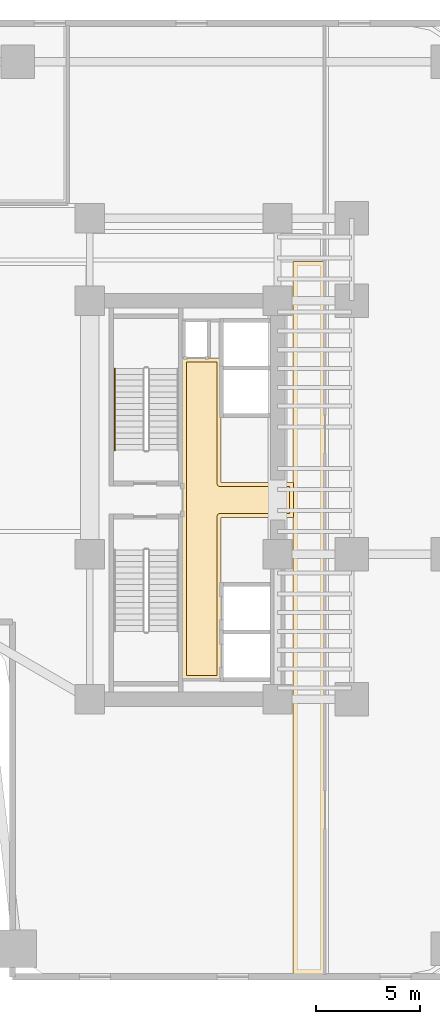
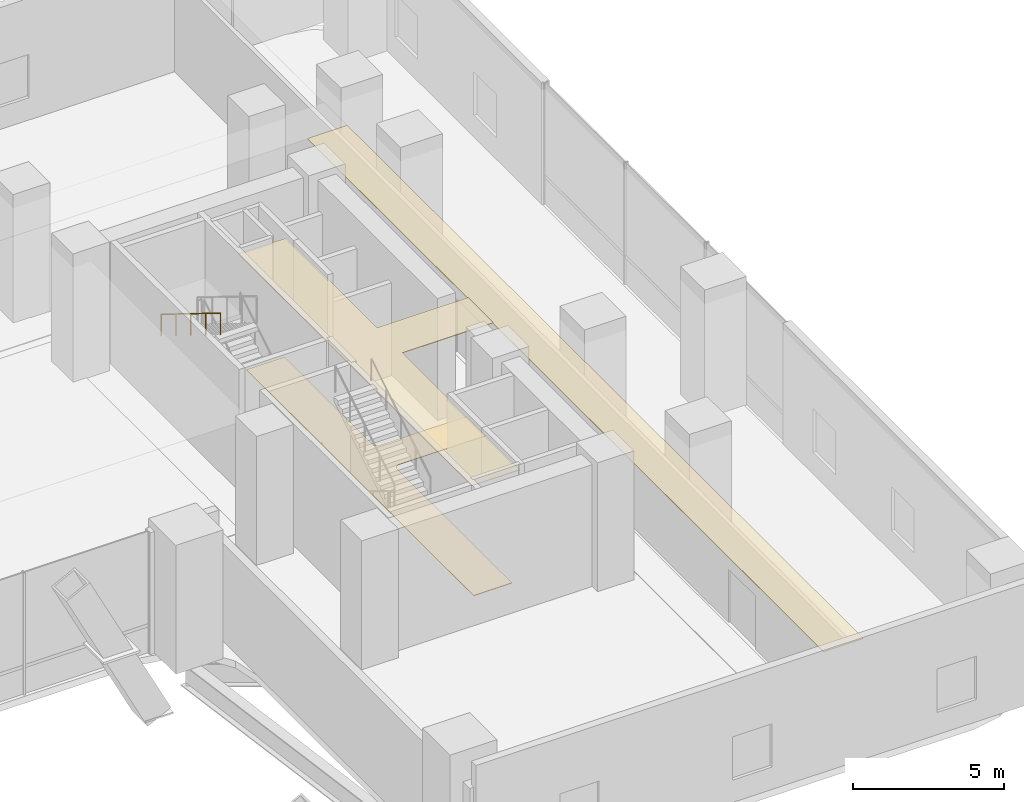
# One storey, part 36 of 39: 3 coverings, 1 railing.
"""IFC4 building model written with IfcOpenShell, lengths in metres."""

import ifcopenshell
import ifcopenshell.guid

model = None  # the IFC model being written
_history = None  # IfcOwnerHistory: only IFC2X3 demands one
_inside = {}  # id of a spatial element -> (the spatial element, [elements in it])
_under = {}  # id of a project, library or spatial element -> (it, [spatial elements below it])
_declared = {}  # id of a project -> (the project, [libraries it declares])
_typed = {}  # id of a type object -> (the type object, [elements of that type])
_made_of = {}  # id of a material, layer set ... -> (it, [elements and type objects made of it])


def new_model(schema):
    """Start an empty IFC model of exactly this schema.

    Asked for "IFC4X3", IfcOpenShell would pick the latest addendum, in which some entities
    have other attributes; the version numbers below select the first issue.
    IFC2X3 requires an IfcOwnerHistory on every rooted entity: one is made here for all.
    """
    global model, _history
    if schema == "IFC4X3":
        model = ifcopenshell.file(schema_version=(4, 3, 0, 0))
    else:
        model = ifcopenshell.file(schema=schema)
    _inside.clear()
    _under.clear()
    _declared.clear()
    _typed.clear()
    _made_of.clear()
    _history = None
    if model.schema == "IFC2X3":
        org = make("IfcOrganization", Name="unknown")
        user = make(
            "IfcPersonAndOrganization",
            ThePerson=make("IfcPerson", FamilyName="unknown"),
            TheOrganization=org,
        )
        app = make(
            "IfcApplication",
            ApplicationDeveloper=org,
            Version="unknown",
            ApplicationFullName="unknown",
            ApplicationIdentifier="unknown",
        )
        _history = make(
            "IfcOwnerHistory",
            OwningUser=user,
            OwningApplication=app,
            ChangeAction="ADDED",
            CreationDate=0,
        )
    return model


def make(cls, **values):
    """One entity of the class cls with the attributes given. An attribute that is None is left unset."""
    return model.create_entity(
        cls, **{name: value for name, value in values.items() if value is not None}
    )


def rooted(cls, **values):
    """An entity with a GlobalId (a new one), such as an element, a storey or a relation."""
    return make(cls, GlobalId=ifcopenshell.guid.new(), OwnerHistory=_history, **values)


def si_unit(unit_type, name, prefix=None):
    """IfcSIUnit, for example si_unit("LENGTHUNIT", "METRE", prefix="MILLI")."""
    return make("IfcSIUnit", UnitType=unit_type, Prefix=prefix, Name=name)


def assignment(units):
    """IfcUnitAssignment: the units of a project."""
    return None if units is None else make("IfcUnitAssignment", Units=units)


def point(xyz):
    """IfcCartesianPoint."""
    return None if xyz is None else make("IfcCartesianPoint", Coordinates=xyz)


def direction(xyz):
    """IfcDirection."""
    return None if xyz is None else make("IfcDirection", DirectionRatios=xyz)


def frame(location, z_axis=None, x_axis=None):
    """IfcAxis2Placement3D, a coordinate frame: its origin and axes. An axis left out is left unset."""
    return make(
        "IfcAxis2Placement3D",
        Location=point(location),
        Axis=direction(z_axis),
        RefDirection=direction(x_axis),
    )


def frame_2d(location, x_axis=None):
    """IfcAxis2Placement2D, a coordinate frame in the plane: its origin and x axis."""
    return make(
        "IfcAxis2Placement2D", Location=point(location), RefDirection=direction(x_axis)
    )


def origin():
    """The frame at (0, 0, 0) with its axes left unset."""
    return frame((0.0, 0.0, 0.0))


def origin_2d():
    """The frame at (0, 0) in the plane with its x axis left unset."""
    return frame_2d((0.0, 0.0))


def place(relative_to, where):
    """IfcLocalPlacement: puts the frame where relative to a parent placement (None: the world)."""
    return make(
        "IfcLocalPlacement", PlacementRelTo=relative_to, RelativePlacement=where
    )


def context(
    kind, dimensions, precision=None, world=None, true_north=None, identifier=None
):
    """IfcGeometricRepresentationContext, for example the 3D "Model" context."""
    return make(
        "IfcGeometricRepresentationContext",
        ContextIdentifier=identifier,
        ContextType=kind,
        CoordinateSpaceDimension=dimensions,
        Precision=precision,
        WorldCoordinateSystem=world,
        TrueNorth=true_north,
    )


def subcontext(parent, identifier, kind, view, scale=None):
    """IfcGeometricRepresentationSubContext, for example "Body" below "Model"."""
    return make(
        "IfcGeometricRepresentationSubContext",
        ContextIdentifier=identifier,
        ContextType=kind,
        ParentContext=parent,
        TargetScale=scale,
        TargetView=view,
    )


def project(units=None, contexts=None):
    """IfcProject with its units and contexts."""
    return rooted(
        "IfcProject",
        Name="project",
        RepresentationContexts=contexts,
        UnitsInContext=assignment(units),
    )


def spatial(cls, under=None, at=None, **own):
    """A site, building, storey or space (cls), placed at a placement, below another one or the project."""
    s = rooted(cls, ObjectPlacement=at, **own)
    if under is not None:
        _under.setdefault(under.id(), (under, []))[1].append(s)
    return s


def polyline(points):
    """IfcPolyline through the points."""
    return make("IfcPolyline", Points=[point(p) for p in points])


def profile(cls, at=None, kind="AREA", **sizes):
    """A parametric profile (cls). Its sizes go by their IFC names, for example OverallWidth=200.0."""
    return make(cls, ProfileType=kind, Position=at, **sizes)


def circle(**sizes):
    """IfcCircleProfileDef."""
    return profile("IfcCircleProfileDef", **sizes)


def outline(outer, holes=None, kind="AREA"):
    """IfcArbitraryClosedProfileDef: a profile drawn as a closed curve; with holes, ...WithVoids."""
    if holes is None:
        return make("IfcArbitraryClosedProfileDef", ProfileType=kind, OuterCurve=outer)
    return make(
        "IfcArbitraryProfileDefWithVoids",
        ProfileType=kind,
        OuterCurve=outer,
        InnerCurves=holes,
    )


def extrude(swept, where, along, depth):
    """IfcExtrudedAreaSolid: the profile swept, set in the frame where, extruded along a direction by depth."""
    return make(
        "IfcExtrudedAreaSolid",
        SweptArea=swept,
        Position=where,
        ExtrudedDirection=direction(along),
        Depth=depth,
    )


def shape(context_of_items, identifier, shape_type, items):
    """IfcShapeRepresentation: the items that make up one representation, for example the "Body"."""
    return make(
        "IfcShapeRepresentation",
        ContextOfItems=context_of_items,
        RepresentationIdentifier=identifier,
        RepresentationType=shape_type,
        Items=items,
    )


def material(Name=None, Category=None):
    """IfcMaterial."""
    return make("IfcMaterial", Name=Name, Category=Category)


def layer(
    of_material, thickness, ventilated=None, Name=None, Category=None, Priority=None
):
    """IfcMaterialLayer: one layer of a wall or slab, of a material (None: an air gap)."""
    return make(
        "IfcMaterialLayer",
        Material=of_material,
        LayerThickness=thickness,
        IsVentilated=ventilated,
        Name=Name,
        Category=Category,
        Priority=Priority,
    )


def layer_set(layers, Name=None):
    """IfcMaterialLayerSet."""
    return make("IfcMaterialLayerSet", MaterialLayers=layers, LayerSetName=Name)


def made_of(thing, what):
    """Note that an element or type object is made of a material, layer set ...; save() writes the relation."""
    if what is not None:
        _made_of.setdefault(what.id(), (what, []))[1].append(thing)
    return thing


def type_object(cls, material=None, **own):
    """A type object (cls), such as IfcWallType, which elements share."""
    return made_of(rooted(cls, **own), material)


def element(
    cls,
    number,
    at=None,
    inside=None,
    cuts=None,
    type_object=None,
    material=None,
    context=None,
    identifier="Body",
    shape_type=None,
    held_by="IfcProductDefinitionShape",
    body=None,
    shapes=None,
    **own,
):
    """One element of the class cls, such as IfcWall. Its Tag is "e" and its number.

    at: its placement. inside: the storey or other place that contains it. cuts: it is an
    opening in that element (IfcRelVoidsElement). A single representation is given by context,
    identifier, shape_type and body (its items); several are given by shapes. held_by: the class
    of the entity that holds the representations. save() writes the other relations.
    """
    e = rooted(cls, Tag="e%d" % number, ObjectPlacement=at, **own)
    if body is not None:
        shapes = [shape(context, identifier, shape_type, body)]
    if shapes is not None:
        e.Representation = make(held_by, Representations=shapes)
    if inside is not None:
        _inside.setdefault(inside.id(), (inside, []))[1].append(e)
    if cuts is not None:
        rooted(
            "IfcRelVoidsElement", RelatingBuildingElement=cuts, RelatedOpeningElement=e
        )
    if type_object is not None:
        _typed.setdefault(type_object.id(), (type_object, []))[1].append(e)
    return made_of(e, material)


def aggregate(whole, parts):
    """IfcRelAggregates: a whole, such as a stair, and the parts it consists of."""
    return rooted("IfcRelAggregates", RelatingObject=whole, RelatedObjects=parts)


def save(model, path):
    """Write the relations noted so far, then the file.

    IfcRelAggregates (storeys below a building ...), IfcRelContainedInSpatialStructure (elements
    in a storey), IfcRelDefinesByType, IfcRelAssociatesMaterial and IfcRelDeclares: one each for
    every whole, place, type object, material and project.
    """
    for whole, parts in _under.values():
        aggregate(whole, parts)
    for where, things in _inside.values():
        rooted(
            "IfcRelContainedInSpatialStructure",
            RelatedElements=things,
            RelatingStructure=where,
        )
    for kind, things in _typed.values():
        rooted("IfcRelDefinesByType", RelatedObjects=things, RelatingType=kind)
    for what, things in _made_of.values():
        rooted("IfcRelAssociatesMaterial", RelatedObjects=things, RelatingMaterial=what)
    for by, libraries in _declared.values():
        rooted("IfcRelDeclares", RelatingContext=by, RelatedDefinitions=libraries)
    model.write(path)


model = new_model("IFC4")

# Units and contexts
model_context = context("Model", 3, precision=1e-05, world=origin(), true_north=direction((0.0, 1.0)))
body_context = subcontext(model_context, "Body", "Model", "MODEL_VIEW")
ifc_project = project(units=[si_unit("LENGTHUNIT", "METRE"), si_unit("AREAUNIT", "SQUARE_METRE"), si_unit("VOLUMEUNIT", "CUBIC_METRE"), si_unit("PLANEANGLEUNIT", "RADIAN"), si_unit("MASSUNIT", "GRAM", prefix="KILO")], contexts=[model_context])

# Site, building, storey
site_placement = place(None, origin())
site = spatial("IfcSite", under=ifc_project, at=site_placement, CompositionType="ELEMENT")
building_placement = place(site_placement, origin())
building = spatial("IfcBuilding", under=site, at=building_placement, Name="Valdorenza Pilgrim Sanctuary Tower", CompositionType="ELEMENT")
storey_placement = place(building_placement, frame((0.0, 0.0, 10.39990234375)))
storey = spatial("IfcBuildingStorey", under=building, at=storey_placement, Name="L02", CompositionType="ELEMENT", Elevation=10.39990234375)

# Coverings
ifc_material_1 = material(Name="Micro-perforated acoustic mineral ceiling tile", Category="gypsum")
ifc_layer_1 = layer(ifc_material_1, 0.02490234375, Name="Micro-perforated acoustic mineral ceiling tile")
ifc_layer_set_1 = layer_set([ifc_layer_1], Name="Micro-perforated acoustic mineral ceiling tile")
covering_type_1 = type_object("IfcCoveringType", Name="COV-CLG-ACU", PredefinedType="CEILING", material=ifc_layer_set_1)
covering_1_placement = place(storey_placement, frame((0.0, 0.0, 4.6201171875)))
element("IfcCovering", 1, at=covering_1_placement, inside=storey, type_object=covering_type_1, Name="L02 Core B Passenger Lift Lobby Acoustic Ceiling", PredefinedType="CEILING", context=body_context, shape_type="SweptSolid", body=[
    extrude(outline(polyline([(20.287109375, -0.814697265625), (20.287109375, 0.814697265625), (20.28662109375, 0.815185546875), (20.2861328125, 0.81640625), (20.28564453125, 0.81787109375), (20.285400390625, 0.819091796875), (20.28515625, 0.820556640625), (20.284912109375, 0.822021484375), (20.284912109375, 6.800048828125), (20.28515625, 6.801513671875), (20.285400390625, 6.802978515625), (20.28564453125, 6.804443359375), (20.2861328125, 6.8056640625), (20.286865234375, 6.80712890625), (20.28759765625, 6.808349609375), (20.288330078125, 6.8095703125), (20.289306640625, 6.810546875), (20.29052734375, 6.8115234375), (20.291748046875, 6.8125), (20.29296875, 6.813232421875), (20.294189453125, 6.81396484375), (20.295654296875, 6.814453125), (20.297119140625, 6.814697265625), (20.298583984375, 6.81494140625), (20.300048828125, 6.81494140625), (20.347900390625, 6.81494140625), (20.349365234375, 6.81494140625), (20.350830078125, 6.814697265625), (20.352294921875, 6.814453125), (20.353515625, 6.81396484375), (20.35498046875, 6.813232421875), (20.35546875, 6.81298828125), (21.544677734375, 6.81298828125), (21.545166015625, 6.813232421875), (21.54638671875, 6.81396484375), (21.5478515625, 6.814453125), (21.54931640625, 6.814697265625), (21.550537109375, 6.81494140625), (21.552001953125, 6.81494140625), (22.1201171875, 6.81494140625), (22.12158203125, 6.81494140625), (22.122802734375, 6.814697265625), (22.12451171875, 6.814453125), (22.125732421875, 6.81396484375), (22.127197265625, 6.813232421875), (22.12841796875, 6.8125), (22.12939453125, 6.8115234375), (22.130615234375, 6.810546875), (22.131591796875, 6.8095703125), (22.132568359375, 6.808349609375), (22.13330078125, 6.80712890625), (22.1337890625, 6.8056640625), (22.134521484375, 6.804443359375), (22.134765625, 6.802978515625), (22.135009765625, 6.801513671875), (22.135009765625, 6.800048828125), (22.135009765625, 0.8349609375), (25.60009765625, 0.8349609375), (25.6015625, 0.8349609375), (25.602783203125, 0.834716796875), (25.6044921875, 0.83447265625), (25.605712890625, 0.833984375), (25.607177734375, 0.833251953125), (25.6083984375, 0.83251953125), (25.609619140625, 0.83154296875), (25.610595703125, 0.83056640625), (25.611572265625, 0.82958984375), (25.612548828125, 0.828369140625), (25.61328125, 0.8271484375), (25.614013671875, 0.82568359375), (25.614501953125, 0.824462890625), (25.61474609375, 0.822998046875), (25.614990234375, 0.821533203125), (25.614990234375, 0.820068359375), (25.614990234375, -0.820068359375), (25.614990234375, -0.821533203125), (25.61474609375, -0.822998046875), (25.614501953125, -0.824462890625), (25.614013671875, -0.82568359375), (25.61328125, -0.8271484375), (25.612548828125, -0.828369140625), (25.611572265625, -0.82958984375), (25.610595703125, -0.83056640625), (25.609619140625, -0.83154296875), (25.6083984375, -0.83251953125), (25.607177734375, -0.833251953125), (25.605712890625, -0.833984375), (25.6044921875, -0.83447265625), (25.602783203125, -0.834716796875), (25.6015625, -0.8349609375), (25.60009765625, -0.8349609375), (22.135009765625, -0.8349609375), (22.135009765625, -8.60009765625), (22.135009765625, -8.6015625), (22.134765625, -8.602783203125), (22.134521484375, -8.6044921875), (22.1337890625, -8.605712890625), (22.13330078125, -8.607177734375), (22.132568359375, -8.6083984375), (22.131591796875, -8.609619140625), (22.130615234375, -8.610595703125), (22.12939453125, -8.611572265625), (22.12841796875, -8.612548828125), (22.127197265625, -8.61328125), (22.125732421875, -8.614013671875), (22.12451171875, -8.614501953125), (22.122802734375, -8.61474609375), (22.12158203125, -8.614990234375), (22.1201171875, -8.614990234375), (20.300048828125, -8.614990234375), (20.298583984375, -8.614990234375), (20.297119140625, -8.61474609375), (20.295654296875, -8.614501953125), (20.294189453125, -8.614013671875), (20.29296875, -8.61328125), (20.291748046875, -8.612548828125), (20.29052734375, -8.611572265625), (20.289306640625, -8.610595703125), (20.288330078125, -8.609619140625), (20.28759765625, -8.6083984375), (20.286865234375, -8.607177734375), (20.2861328125, -8.605712890625), (20.28564453125, -8.6044921875), (20.285400390625, -8.602783203125), (20.28515625, -8.6015625), (20.284912109375, -8.60009765625), (20.284912109375, -0.822021484375), (20.28515625, -0.820556640625), (20.285400390625, -0.819091796875), (20.28564453125, -0.81787109375), (20.2861328125, -0.81640625), (20.28662109375, -0.815185546875), (20.287109375, -0.814697265625)])), origin(), (0.0, 0.0, 1.0), 0.02490234375),
])
covering_2_placement = place(storey_placement, frame((0.0, 0.0, 4.6201171875)))
element("IfcCovering", 2, at=covering_2_placement, inside=storey, type_object=covering_type_1, Name="L02 L02 Podium East Corridor Acoustic Ceiling", PredefinedType="CEILING", context=body_context, shape_type="SweptSolid", body=[
    extrude(outline(polyline([(25.5869140625, -0.814697265625), (25.5869140625, 0.814697265625), (25.586669921875, 0.815185546875), (25.586181640625, 0.81640625), (25.585693359375, 0.81787109375), (25.585205078125, 0.819091796875), (25.585205078125, 0.820556640625), (25.5849609375, 0.822021484375), (25.5849609375, 11.41796875), (25.585205078125, 11.41943359375), (25.585205078125, 11.4208984375), (25.585693359375, 11.42236328125), (25.586181640625, 11.423583984375), (25.5869140625, 11.425048828125), (25.58740234375, 11.42626953125), (25.58837890625, 11.427490234375), (25.58935546875, 11.4287109375), (25.590576171875, 11.4296875), (25.591796875, 11.430419921875), (25.593017578125, 11.43115234375), (25.59423828125, 11.431884765625), (25.595703125, 11.432373046875), (25.59716796875, 11.4326171875), (25.598388671875, 11.432861328125), (25.60009765625, 11.43310546875), (27.097900390625, 11.43310546875), (27.099609375, 11.432861328125), (27.100830078125, 11.4326171875), (27.102294921875, 11.432373046875), (27.103759765625, 11.431884765625), (27.10498046875, 11.43115234375), (27.106201171875, 11.430419921875), (27.107421875, 11.4296875), (27.108642578125, 11.4287109375), (27.109619140625, 11.427490234375), (27.110595703125, 11.42626953125), (27.111083984375, 11.425048828125), (27.11181640625, 11.423583984375), (27.1123046875, 11.42236328125), (27.11279296875, 11.4208984375), (27.11279296875, 11.41943359375), (27.113037109375, 11.41796875), (27.113037109375, -22.699951171875), (27.11279296875, -22.701416015625), (27.11279296875, -22.702880859375), (27.1123046875, -22.704345703125), (27.11181640625, -22.705810546875), (27.111083984375, -22.70703125), (27.110595703125, -22.708251953125), (27.109619140625, -22.70947265625), (27.108642578125, -22.710693359375), (27.107421875, -22.711669921875), (27.106201171875, -22.71240234375), (27.10498046875, -22.713134765625), (27.103759765625, -22.7138671875), (27.102294921875, -22.71435546875), (27.100830078125, -22.714599609375), (27.099609375, -22.71484375), (27.097900390625, -22.715087890625), (25.60009765625, -22.715087890625), (25.598388671875, -22.71484375), (25.59716796875, -22.714599609375), (25.595703125, -22.71435546875), (25.59423828125, -22.7138671875), (25.593017578125, -22.713134765625), (25.591796875, -22.71240234375), (25.590576171875, -22.711669921875), (25.58935546875, -22.710693359375), (25.58837890625, -22.70947265625), (25.58740234375, -22.708251953125), (25.5869140625, -22.70703125), (25.586181640625, -22.705810546875), (25.585693359375, -22.704345703125), (25.585205078125, -22.702880859375), (25.585205078125, -22.701416015625), (25.5849609375, -22.699951171875), (25.5849609375, -0.822021484375), (25.585205078125, -0.820556640625), (25.585205078125, -0.819091796875), (25.585693359375, -0.81787109375), (25.586181640625, -0.81640625), (25.586669921875, -0.815185546875), (25.5869140625, -0.814697265625)])), origin(), (0.0, 0.0, 1.0), 0.02490234375),
])
ifc_material_2 = material(Name="Honed travertine stone flooring", Category="masonry")
ifc_layer_2 = layer(ifc_material_2, 0.030029296875, Name="Honed travertine stone flooring")
ifc_layer_set_2 = layer_set([ifc_layer_2], Name="Honed travertine stone flooring")
covering_type_2 = type_object("IfcCoveringType", Name="COV-FLR-TRV", PredefinedType="FLOORING", material=ifc_layer_set_2)
covering_3_placement = place(storey_placement, origin())
element("IfcCovering", 3, at=covering_3_placement, inside=storey, type_object=covering_type_2, Name="L02 Core B Passenger Lift Lobby Flooring", PredefinedType="FLOORING", context=body_context, shape_type="SweptSolid", body=[
    extrude(outline(polyline([(20.47998046875, 6.617919921875), (21.550048828125, 6.617919921875), (21.550537109375, 6.617919921875), (21.93994140625, 6.619384765625), (21.93994140625, 0.820068359375), (21.94091796875, 0.802490234375), (21.943603515625, 0.784912109375), (21.94775390625, 0.767578125), (21.95361328125, 0.751220703125), (21.961181640625, 0.735107421875), (21.97021484375, 0.719970703125), (21.98095703125, 0.705810546875), (21.99267578125, 0.692626953125), (22.005859375, 0.680908203125), (22.02001953125, 0.67041015625), (22.03515625, 0.661376953125), (22.051025390625, 0.65380859375), (22.067626953125, 0.647705078125), (22.0849609375, 0.6435546875), (22.102294921875, 0.640869140625), (22.1201171875, 0.639892578125), (25.419921875, 0.639892578125), (25.419921875, -0.639892578125), (22.1201171875, -0.639892578125), (22.102294921875, -0.640869140625), (22.0849609375, -0.6435546875), (22.067626953125, -0.647705078125), (22.051025390625, -0.65380859375), (22.03515625, -0.661376953125), (22.02001953125, -0.67041015625), (22.005859375, -0.680908203125), (21.99267578125, -0.692626953125), (21.98095703125, -0.705810546875), (21.97021484375, -0.719970703125), (21.961181640625, -0.735107421875), (21.95361328125, -0.751220703125), (21.94775390625, -0.767578125), (21.943603515625, -0.784912109375), (21.94091796875, -0.802490234375), (21.93994140625, -0.820068359375), (21.93994140625, -8.419921875), (20.47998046875, -8.419921875), (20.47998046875, -0.846923828125), (20.47998046875, -0.8466796875), (20.47998046875, -0.8466796875), (20.481689453125, -0.8291015625), (20.481689453125, -0.828857421875), (20.48193359375, -0.820068359375), (20.48193359375, 0.820068359375), (20.47998046875, 6.617919921875)])), origin(), (0.0, 0.0, 1.0), 0.025146484375),
])

# Railing
ifc_material_3 = material(Name="Brushed stainless steel Grade 316", Category="steel")
railing_type = type_object("IfcRailingType", Name="RLG-HND-920", PredefinedType="HANDRAIL", material=ifc_material_3)
railing_placement = place(storey_placement, frame((17.050048828125, 6.300048828125, 2.7734375)))
element("IfcRailing", 4, at=railing_placement, inside=storey, type_object=railing_type, Name="L02 ST-B1 stair handrail 2", PredefinedType="HANDRAIL", context=body_context, shape_type="SweptSolid", body=[
    extrude(circle(Radius=0.02392578125, at=origin_2d()), frame((0.0, 0.0, 0.8759765625), z_axis=(0.0, -0.850266275192, 0.526352791643), x_axis=(1.0, 0.0, 0.0)), (0.0, 0.0, 1.0), 4.610595703125),
    extrude(circle(Radius=0.02099609375, at=origin_2d()), origin(), (0.0, 0.0, 1.0), 0.851806640625),
    extrude(circle(Radius=0.02099609375, at=origin_2d()), frame((0.0, -0.97998046875, 0.606689453125)), (0.0, 0.0, 1.0), 0.851806640625),
    extrude(circle(Radius=0.02099609375, at=origin_2d()), frame((0.0, -1.9599609375, 1.21337890625)), (0.0, 0.0, 1.0), 0.851806640625),
    extrude(circle(Radius=0.02099609375, at=origin_2d()), frame((0.0, -2.940185546875, 1.820068359375)), (0.0, 0.0, 1.0), 0.851806640625),
    extrude(circle(Radius=0.02099609375, at=origin_2d()), frame((0.0, -3.920166015625, 2.4267578125)), (0.0, 0.0, 1.0), 0.851806640625),
])

save(model, "model.ifc")
